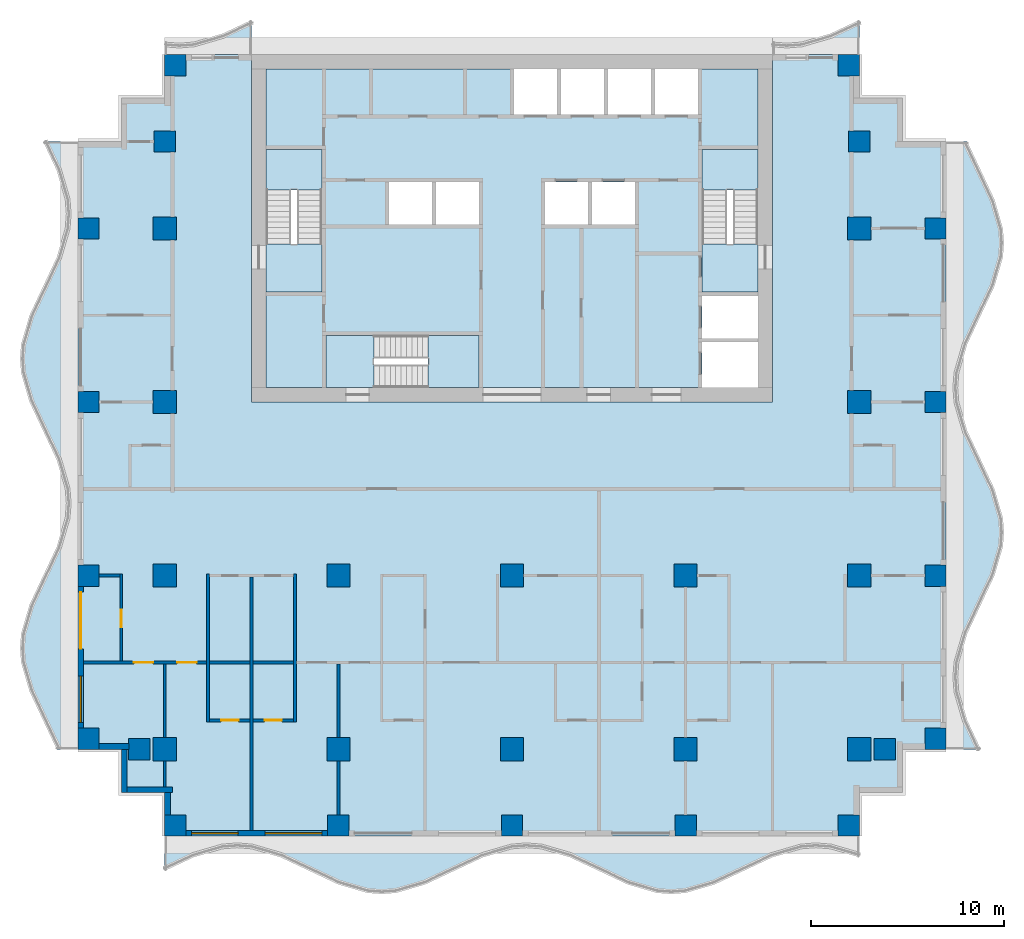
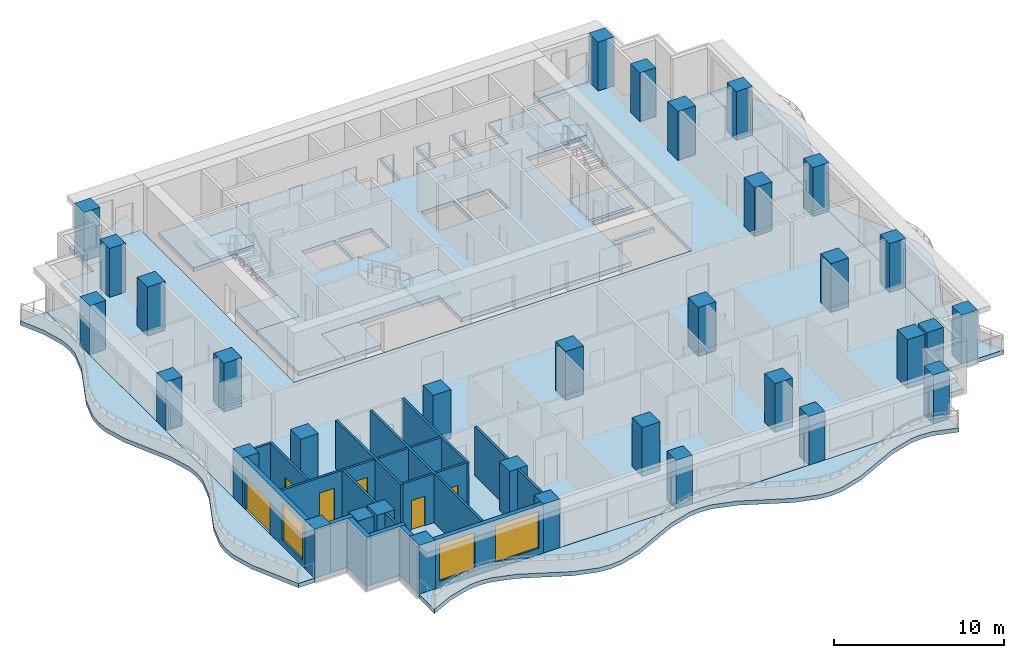
# One storey, part 1 of 10: 33 columns, 20 walls, 13 slabs, 6 doors, 3 windows, 9 openings, 3 elements without a shape of their own.
"""IFC4 building model written with IfcOpenShell, lengths in metres."""

import ifcopenshell
import ifcopenshell.guid

model = None  # the IFC model being written
_history = None  # IfcOwnerHistory: only IFC2X3 demands one
_inside = {}  # id of a spatial element -> (the spatial element, [elements in it])
_under = {}  # id of a project, library or spatial element -> (it, [spatial elements below it])
_declared = {}  # id of a project -> (the project, [libraries it declares])
_typed = {}  # id of a type object -> (the type object, [elements of that type])
_made_of = {}  # id of a material, layer set ... -> (it, [elements and type objects made of it])


def new_model(schema):
    """Start an empty IFC model of exactly this schema.

    Asked for "IFC4X3", IfcOpenShell would pick the latest addendum, in which some entities
    have other attributes; the version numbers below select the first issue.
    IFC2X3 requires an IfcOwnerHistory on every rooted entity: one is made here for all.
    """
    global model, _history
    if schema == "IFC4X3":
        model = ifcopenshell.file(schema_version=(4, 3, 0, 0))
    else:
        model = ifcopenshell.file(schema=schema)
    _inside.clear()
    _under.clear()
    _declared.clear()
    _typed.clear()
    _made_of.clear()
    _history = None
    if model.schema == "IFC2X3":
        org = make("IfcOrganization", Name="unknown")
        user = make(
            "IfcPersonAndOrganization",
            ThePerson=make("IfcPerson", FamilyName="unknown"),
            TheOrganization=org,
        )
        app = make(
            "IfcApplication",
            ApplicationDeveloper=org,
            Version="unknown",
            ApplicationFullName="unknown",
            ApplicationIdentifier="unknown",
        )
        _history = make(
            "IfcOwnerHistory",
            OwningUser=user,
            OwningApplication=app,
            ChangeAction="ADDED",
            CreationDate=0,
        )
    return model


def make(cls, **values):
    """One entity of the class cls with the attributes given. An attribute that is None is left unset."""
    return model.create_entity(
        cls, **{name: value for name, value in values.items() if value is not None}
    )


def rooted(cls, **values):
    """An entity with a GlobalId (a new one), such as an element, a storey or a relation."""
    return make(cls, GlobalId=ifcopenshell.guid.new(), OwnerHistory=_history, **values)


def si_unit(unit_type, name, prefix=None):
    """IfcSIUnit, for example si_unit("LENGTHUNIT", "METRE", prefix="MILLI")."""
    return make("IfcSIUnit", UnitType=unit_type, Prefix=prefix, Name=name)


def assignment(units):
    """IfcUnitAssignment: the units of a project."""
    return None if units is None else make("IfcUnitAssignment", Units=units)


def point(xyz):
    """IfcCartesianPoint."""
    return None if xyz is None else make("IfcCartesianPoint", Coordinates=xyz)


def direction(xyz):
    """IfcDirection."""
    return None if xyz is None else make("IfcDirection", DirectionRatios=xyz)


def frame(location, z_axis=None, x_axis=None):
    """IfcAxis2Placement3D, a coordinate frame: its origin and axes. An axis left out is left unset."""
    return make(
        "IfcAxis2Placement3D",
        Location=point(location),
        Axis=direction(z_axis),
        RefDirection=direction(x_axis),
    )


def frame_2d(location, x_axis=None):
    """IfcAxis2Placement2D, a coordinate frame in the plane: its origin and x axis."""
    return make(
        "IfcAxis2Placement2D", Location=point(location), RefDirection=direction(x_axis)
    )


def origin():
    """The frame at (0, 0, 0) with its axes left unset."""
    return frame((0.0, 0.0, 0.0))


def origin_2d():
    """The frame at (0, 0) in the plane with its x axis left unset."""
    return frame_2d((0.0, 0.0))


def place(relative_to, where):
    """IfcLocalPlacement: puts the frame where relative to a parent placement (None: the world)."""
    return make(
        "IfcLocalPlacement", PlacementRelTo=relative_to, RelativePlacement=where
    )


def context(
    kind, dimensions, precision=None, world=None, true_north=None, identifier=None
):
    """IfcGeometricRepresentationContext, for example the 3D "Model" context."""
    return make(
        "IfcGeometricRepresentationContext",
        ContextIdentifier=identifier,
        ContextType=kind,
        CoordinateSpaceDimension=dimensions,
        Precision=precision,
        WorldCoordinateSystem=world,
        TrueNorth=true_north,
    )


def subcontext(parent, identifier, kind, view, scale=None):
    """IfcGeometricRepresentationSubContext, for example "Body" below "Model"."""
    return make(
        "IfcGeometricRepresentationSubContext",
        ContextIdentifier=identifier,
        ContextType=kind,
        ParentContext=parent,
        TargetScale=scale,
        TargetView=view,
    )


def project(units=None, contexts=None):
    """IfcProject with its units and contexts."""
    return rooted(
        "IfcProject",
        Name="project",
        RepresentationContexts=contexts,
        UnitsInContext=assignment(units),
    )


def spatial(cls, under=None, at=None, **own):
    """A site, building, storey or space (cls), placed at a placement, below another one or the project."""
    s = rooted(cls, ObjectPlacement=at, **own)
    if under is not None:
        _under.setdefault(under.id(), (under, []))[1].append(s)
    return s


def polyline(points):
    """IfcPolyline through the points."""
    return make("IfcPolyline", Points=[point(p) for p in points])


def profile(cls, at=None, kind="AREA", **sizes):
    """A parametric profile (cls). Its sizes go by their IFC names, for example OverallWidth=200.0."""
    return make(cls, ProfileType=kind, Position=at, **sizes)


def rectangle(**sizes):
    """IfcRectangleProfileDef."""
    return profile("IfcRectangleProfileDef", **sizes)


def outline(outer, holes=None, kind="AREA"):
    """IfcArbitraryClosedProfileDef: a profile drawn as a closed curve; with holes, ...WithVoids."""
    if holes is None:
        return make("IfcArbitraryClosedProfileDef", ProfileType=kind, OuterCurve=outer)
    return make(
        "IfcArbitraryProfileDefWithVoids",
        ProfileType=kind,
        OuterCurve=outer,
        InnerCurves=holes,
    )


def extrude(swept, where, along, depth):
    """IfcExtrudedAreaSolid: the profile swept, set in the frame where, extruded along a direction by depth."""
    return make(
        "IfcExtrudedAreaSolid",
        SweptArea=swept,
        Position=where,
        ExtrudedDirection=direction(along),
        Depth=depth,
    )


def shape(context_of_items, identifier, shape_type, items):
    """IfcShapeRepresentation: the items that make up one representation, for example the "Body"."""
    return make(
        "IfcShapeRepresentation",
        ContextOfItems=context_of_items,
        RepresentationIdentifier=identifier,
        RepresentationType=shape_type,
        Items=items,
    )


def material(Name=None, Category=None):
    """IfcMaterial."""
    return make("IfcMaterial", Name=Name, Category=Category)


def layer(
    of_material, thickness, ventilated=None, Name=None, Category=None, Priority=None
):
    """IfcMaterialLayer: one layer of a wall or slab, of a material (None: an air gap)."""
    return make(
        "IfcMaterialLayer",
        Material=of_material,
        LayerThickness=thickness,
        IsVentilated=ventilated,
        Name=Name,
        Category=Category,
        Priority=Priority,
    )


def layer_set(layers, Name=None):
    """IfcMaterialLayerSet."""
    return make("IfcMaterialLayerSet", MaterialLayers=layers, LayerSetName=Name)


def material_profile(
    of_material, cross_section, Name=None, Category=None, Priority=None
):
    """IfcMaterialProfile: a cross section and its material."""
    return make(
        "IfcMaterialProfile",
        Name=Name,
        Material=of_material,
        Profile=cross_section,
        Priority=Priority,
        Category=Category,
    )


def profile_set(profiles, Name=None, composite=None):
    """IfcMaterialProfileSet."""
    return make(
        "IfcMaterialProfileSet",
        Name=Name,
        MaterialProfiles=profiles,
        CompositeProfile=composite,
    )


def made_of(thing, what):
    """Note that an element or type object is made of a material, layer set ...; save() writes the relation."""
    if what is not None:
        _made_of.setdefault(what.id(), (what, []))[1].append(thing)
    return thing


def type_object(cls, material=None, **own):
    """A type object (cls), such as IfcWallType, which elements share."""
    return made_of(rooted(cls, **own), material)


def element(
    cls,
    number,
    at=None,
    inside=None,
    cuts=None,
    type_object=None,
    material=None,
    context=None,
    identifier="Body",
    shape_type=None,
    held_by="IfcProductDefinitionShape",
    body=None,
    shapes=None,
    **own,
):
    """One element of the class cls, such as IfcWall. Its Tag is "e" and its number.

    at: its placement. inside: the storey or other place that contains it. cuts: it is an
    opening in that element (IfcRelVoidsElement). A single representation is given by context,
    identifier, shape_type and body (its items); several are given by shapes. held_by: the class
    of the entity that holds the representations. save() writes the other relations.
    """
    e = rooted(cls, Tag="e%d" % number, ObjectPlacement=at, **own)
    if body is not None:
        shapes = [shape(context, identifier, shape_type, body)]
    if shapes is not None:
        e.Representation = make(held_by, Representations=shapes)
    if inside is not None:
        _inside.setdefault(inside.id(), (inside, []))[1].append(e)
    if cuts is not None:
        rooted(
            "IfcRelVoidsElement", RelatingBuildingElement=cuts, RelatedOpeningElement=e
        )
    if type_object is not None:
        _typed.setdefault(type_object.id(), (type_object, []))[1].append(e)
    return made_of(e, material)


def fill(opening, filler):
    """IfcRelFillsElement: the door or window that sits in an opening."""
    return rooted(
        "IfcRelFillsElement",
        RelatingOpeningElement=opening,
        RelatedBuildingElement=filler,
    )


def aggregate(whole, parts):
    """IfcRelAggregates: a whole, such as a stair, and the parts it consists of."""
    return rooted("IfcRelAggregates", RelatingObject=whole, RelatedObjects=parts)


def save(model, path):
    """Write the relations noted so far, then the file.

    IfcRelAggregates (storeys below a building ...), IfcRelContainedInSpatialStructure (elements
    in a storey), IfcRelDefinesByType, IfcRelAssociatesMaterial and IfcRelDeclares: one each for
    every whole, place, type object, material and project.
    """
    for whole, parts in _under.values():
        aggregate(whole, parts)
    for where, things in _inside.values():
        rooted(
            "IfcRelContainedInSpatialStructure",
            RelatedElements=things,
            RelatingStructure=where,
        )
    for kind, things in _typed.values():
        rooted("IfcRelDefinesByType", RelatedObjects=things, RelatingType=kind)
    for what, things in _made_of.values():
        rooted("IfcRelAssociatesMaterial", RelatedObjects=things, RelatingMaterial=what)
    for by, libraries in _declared.values():
        rooted("IfcRelDeclares", RelatingContext=by, RelatedDefinitions=libraries)
    model.write(path)


model = new_model("IFC4")

# Units and contexts
model_context = context("Model", 3, precision=1e-05, world=origin(), true_north=direction((0.0, 1.0)))
body_context = subcontext(model_context, "Body", "Model", "MODEL_VIEW")
ifc_project = project(units=[si_unit("LENGTHUNIT", "METRE"), si_unit("AREAUNIT", "SQUARE_METRE"), si_unit("VOLUMEUNIT", "CUBIC_METRE"), si_unit("PLANEANGLEUNIT", "RADIAN"), si_unit("MASSUNIT", "GRAM", prefix="KILO")], contexts=[model_context])

# Site, building, storey
site_placement = place(None, origin())
site = spatial("IfcSite", under=ifc_project, at=site_placement, CompositionType="ELEMENT")
building_placement = place(site_placement, origin())
building = spatial("IfcBuilding", under=site, at=building_placement, Name="Orbiselva Terraces", CompositionType="ELEMENT")
storey_placement = place(building_placement, frame((0.0, 0.0, 159.2)))
storey = spatial("IfcBuildingStorey", under=building, at=storey_placement, Name="L40", CompositionType="ELEMENT", Elevation=159.2)

# Columns
ifc_material_1 = material(Name="Concrete C60/75", Category="concrete")
ifc_material_profile_1 = material_profile(ifc_material_1, rectangle(XDim=1.2, YDim=1.2, at=origin_2d()), Name="RC 1200x1200")
ifc_profile_set_1 = profile_set([ifc_material_profile_1], Name="Concrete C60/75")
column_type_1 = type_object("IfcColumnType", Name="COLUMN RC 1200x1200", PredefinedType="COLUMN", material=ifc_profile_set_1)
for number, where, z_axis, x_axis, name in (
    (1, (-18.0, -13.5, 0.0), (0.0, 0.0, 1.0), (1.0, 0.0, 0.0), "Column L40-01"),
    (2, (-18.0, -4.5, 0.0), (0.0, 0.0, 1.0), (1.0, 0.0, 0.0), "Column L40-03"),
    (3, (-18.0, 13.5, 0.0), (0.0, 0.0, 1.0), (1.0, 0.0, 0.0), "Column L40-04"),
    (4, (-18.0, 4.5, 0.0), (0.0, 0.0, 1.0), (1.0, 0.0, 0.0), "Column L40-06"),
    (5, (-9.0, -13.5, 0.0), (0.0, 0.0, 1.0), (1.0, 0.0, 0.0), "Column L40-13"),
    (6, (-9.0, -4.5, 0.0), (0.0, 0.0, 1.0), (1.0, 0.0, 0.0), "Column L40-15"),
    (7, (0.0, -13.5, 0.0), (0.0, 0.0, 1.0), (1.0, 0.0, 0.0), "Column L40-16"),
    (8, (0.0, -4.5, 0.0), (0.0, 0.0, 1.0), (1.0, 0.0, 0.0), "Column L40-18"),
    (9, (18.0, -13.5, 0.0), (0.0, 0.0, 1.0), (1.0, 0.0, 0.0), "Column L40-19"),
    (10, (18.0, -4.5, 0.0), (0.0, 0.0, 1.0), (1.0, 0.0, 0.0), "Column L40-21"),
    (11, (18.0, 13.5, 0.0), (0.0, 0.0, 1.0), (1.0, 0.0, 0.0), "Column L40-22"),
    (12, (18.0, 4.5, 0.0), (0.0, 0.0, 1.0), (1.0, 0.0, 0.0), "Column L40-24"),
    (13, (9.0, -13.5, 0.0), (0.0, 0.0, 1.0), (1.0, 0.0, 0.0), "Column L40-31"),
    (14, (9.0, -4.5, 0.0), (0.0, 0.0, 1.0), (1.0, 0.0, 0.0), "Column L40-33"),
):
    element("IfcColumn", number, at=place(storey_placement, frame(where, z_axis=z_axis, x_axis=x_axis)), inside=storey, type_object=column_type_1, Name=name, PredefinedType="COLUMN", context=body_context, shape_type="SweptSolid", body=[
        extrude(rectangle(XDim=1.2, YDim=1.2, at=origin_2d()), origin(), (0.0, 0.0, 1.0), 3.5),
    ])
ifc_material_profile_2 = material_profile(ifc_material_1, rectangle(XDim=1.1, YDim=1.1, at=origin_2d()), Name="RC 1100x1100")
ifc_profile_set_2 = profile_set([ifc_material_profile_2], Name="Concrete C60/75")
column_type_2 = type_object("IfcColumnType", Name="PERIMETER COLUMN RC 1100x1100", PredefinedType="COLUMN", material=ifc_profile_set_2)
for number, where, z_axis, x_axis, name in (
    (15, (-17.45, -17.45, 0.0), (0.0, 0.0, 1.0), (1.0, 0.0, 0.0), "Column L40-02"),
    (16, (-17.45, 21.95, 0.0), (0.0, 0.0, 1.0), (1.0, 0.0, 0.0), "Column L40-05"),
    (17, (-21.95, -12.95, 0.0), (0.0, 0.0, 1.0), (1.0, 0.0, 0.0), "Column L40-07"),
    (18, (-19.32, -13.5, 0.0), (0.0, 0.0, 1.0), (1.0, 0.0, 0.0), "Column L40-08"),
    (19, (-21.95, -4.5, 0.0), (0.0, 0.0, 1.0), (1.0, 0.0, 0.0), "Column L40-09"),
    (20, (-21.95, 13.5, 0.0), (0.0, 0.0, 1.0), (1.0, 0.0, 0.0), "Column L40-10"),
    (21, (-18.0, 18.0, 0.0), (0.0, 0.0, 1.0), (1.0, 0.0, 0.0), "Column L40-11"),
    (22, (-21.95, 4.5, 0.0), (0.0, 0.0, 1.0), (1.0, 0.0, 0.0), "Column L40-12"),
    (23, (-9.0, -17.45, 0.0), (0.0, 0.0, 1.0), (1.0, 0.0, 0.0), "Column L40-14"),
    (24, (0.0, -17.45, 0.0), (0.0, 0.0, 1.0), (1.0, 0.0, 0.0), "Column L40-17"),
    (25, (17.45, -17.45, 0.0), (0.0, 0.0, 1.0), (1.0, 0.0, 0.0), "Column L40-20"),
    (26, (17.45, 21.95, 0.0), (0.0, 0.0, 1.0), (1.0, 0.0, 0.0), "Column L40-23"),
    (27, (21.95, -12.95, 0.0), (0.0, 0.0, 1.0), (1.0, 0.0, 0.0), "Column L40-25"),
    (28, (19.32, -13.5, 0.0), (0.0, 0.0, 1.0), (1.0, 0.0, 0.0), "Column L40-26"),
    (29, (21.95, -4.5, 0.0), (0.0, 0.0, 1.0), (1.0, 0.0, 0.0), "Column L40-27"),
    (30, (21.95, 13.5, 0.0), (0.0, 0.0, 1.0), (1.0, 0.0, 0.0), "Column L40-28"),
    (31, (18.0, 18.0, 0.0), (0.0, 0.0, 1.0), (1.0, 0.0, 0.0), "Column L40-29"),
    (32, (21.95, 4.5, 0.0), (0.0, 0.0, 1.0), (1.0, 0.0, 0.0), "Column L40-30"),
    (33, (9.0, -17.45, 0.0), (0.0, 0.0, 1.0), (1.0, 0.0, 0.0), "Column L40-32"),
):
    element("IfcColumn", number, at=place(storey_placement, frame(where, z_axis=z_axis, x_axis=x_axis)), inside=storey, type_object=column_type_2, Name=name, PredefinedType="COLUMN", context=body_context, shape_type="SweptSolid", body=[
        extrude(rectangle(XDim=1.1, YDim=1.1, at=origin_2d()), origin(), (0.0, 0.0, 1.0), 3.5),
    ])

# Slabs
ifc_material_2 = material(Name="Concrete C40/50", Category="concrete")
ifc_layer_1 = layer(ifc_material_2, 0.3)
ifc_layer_set_1 = layer_set([ifc_layer_1], Name="Concrete C40/50")
slab_type_1 = type_object("IfcSlabType", Name="CORE-SLAB-FLOOR-300", PredefinedType="FLOOR", material=ifc_layer_set_1)
slab_1_placement = place(storey_placement, frame((0.0, 0.0, -0.3)))
element("IfcSlab", 34, at=slab_1_placement, inside=storey, type_object=slab_type_1, Name="L40 S1 floor landing", PredefinedType="FLOOR", context=body_context, shape_type="SweptSolid", body=[
    extrude(outline(polyline([(-12.75, 12.7), (-9.85, 12.7), (-9.85, 10.2), (-12.75, 10.2), (-12.75, 12.7)])), origin(), (0.0, 0.0, 1.0), 0.3),
])
slab_2_placement = place(storey_placement, frame((0.0, 0.0, -0.3)))
element("IfcSlab", 35, at=slab_2_placement, inside=storey, type_object=slab_type_1, Name="L40 S2 floor landing", PredefinedType="FLOOR", context=body_context, shape_type="SweptSolid", body=[
    extrude(outline(polyline([(12.75, 12.7), (12.75, 10.2), (9.85, 10.2), (9.85, 12.7), (12.75, 12.7)])), origin(), (0.0, 0.0, 1.0), 0.3),
])
slab_3_placement = place(storey_placement, frame((0.0, 0.0, -0.3)))
element("IfcSlab", 36, at=slab_3_placement, inside=storey, type_object=slab_type_1, Name="L40 S3 floor landing", PredefinedType="FLOOR", context=body_context, shape_type="SweptSolid", body=[
    extrude(outline(polyline([(-7.15, 5.25), (-9.65, 5.25), (-9.65, 7.95), (-7.15, 7.95), (-7.15, 5.25)])), origin(), (0.0, 0.0, 1.0), 0.3),
])
slab_4_placement = place(storey_placement, frame((0.0, 0.0, -0.3)))
element("IfcSlab", 37, at=slab_4_placement, inside=storey, type_object=slab_type_1, Name="L40 core floor slab 1", PredefinedType="FLOOR", context=body_context, shape_type="SweptSolid", body=[
    extrude(outline(polyline([(-1.7, 5.25), (-1.7, 7.95), (-9.65, 7.95), (-9.65, 5.25), (-12.75, 5.25), (-12.75, 10.2), (-9.85, 10.2), (-9.85, 17.6), (-12.75, 17.6), (-12.75, 21.75), (0.1, 21.75), (0.1, 19.4), (2.3375, 19.4), (2.3375, 21.75), (2.5375, 21.75), (2.5375, 19.4), (4.775, 19.4), (4.775, 21.75), (4.975, 21.75), (4.975, 19.4), (7.2125, 19.4), (7.2125, 21.75), (7.4125, 21.75), (7.4125, 19.4), (9.65, 19.4), (9.65, 21.75), (12.75, 21.75), (12.75, 17.6), (9.85, 17.6), (9.85, 10.2), (12.75, 10.2), (12.75, 10.0), (9.85, 10.0), (9.85, 7.8), (12.75, 7.8), (12.75, 7.6), (9.85, 7.6), (9.85, 5.25), (-1.7, 5.25)]), holes=[polyline([(-4.1375, 13.7), (-4.1375, 15.9), (-6.375, 15.9), (-6.375, 13.7), (-4.1375, 13.7)]), polyline([(-1.7, 13.7), (-1.7, 15.9), (-3.9375, 15.9), (-3.9375, 13.7), (-1.7, 13.7)]), polyline([(3.9375, 15.9), (1.7, 15.9), (1.7, 13.7), (3.9375, 13.7), (3.9375, 15.9)]), polyline([(6.375, 13.7), (6.375, 15.9), (4.1375, 15.9), (4.1375, 13.7), (6.375, 13.7)])]), origin(), (0.0, 0.0, 1.0), 0.3),
])

# Stair, slab
stair_type_1 = type_object("IfcStairType", Name="CORE-STAIR-1300", PredefinedType="HALF_TURN_STAIR", material=ifc_material_2)
stair_1_placement = place(storey_placement, origin())
stair_1 = element("IfcStair", 38, at=stair_1_placement, inside=storey, type_object=stair_type_1, Name="L40 Exit Stair S1", PredefinedType="HALF_TURN_STAIR")
ifc_layer_2 = layer(ifc_material_2, 0.2)
ifc_layer_set_2 = layer_set([ifc_layer_2], Name="Concrete C40/50")
slab_type_2 = type_object("IfcSlabType", Name="CORE-STAIR-LANDING-200", PredefinedType="LANDING", material=ifc_layer_set_2)
slab_5_placement = place(storey_placement, frame((0.0, 0.0, 1.7)))
slab_5 = element("IfcSlab", 39, at=slab_5_placement, type_object=slab_type_2, Name="S1 landing 1", PredefinedType="LANDING", context=body_context, shape_type="SweptSolid", body=[
    extrude(outline(polyline([(-9.85, 15.5), (-9.85, 17.6), (-12.75, 17.6), (-12.75, 15.5), (-9.85, 15.5)])), origin(), (0.0, 0.0, 1.0), 0.2),
])
aggregate(stair_1, [slab_5])

stair_2_placement = place(storey_placement, origin())
stair_2 = element("IfcStair", 40, at=stair_2_placement, inside=storey, type_object=stair_type_1, Name="L40 Exit Stair S2", PredefinedType="HALF_TURN_STAIR")
slab_6_placement = place(storey_placement, frame((0.0, 0.0, 1.7)))
slab_6 = element("IfcSlab", 41, at=slab_6_placement, type_object=slab_type_2, Name="S2 landing 1", PredefinedType="LANDING", context=body_context, shape_type="SweptSolid", body=[
    extrude(outline(polyline([(12.75, 15.5), (12.75, 17.6), (9.85, 17.6), (9.85, 15.5), (12.75, 15.5)])), origin(), (0.0, 0.0, 1.0), 0.2),
])
aggregate(stair_2, [slab_6])

stair_type_2 = type_object("IfcStairType", Name="CORE-STAIR-1200", PredefinedType="HALF_TURN_STAIR", material=ifc_material_2)
stair_3_placement = place(storey_placement, origin())
stair_3 = element("IfcStair", 42, at=stair_3_placement, inside=storey, type_object=stair_type_2, Name="L40 Exit Stair S3", PredefinedType="HALF_TURN_STAIR")
slab_7_placement = place(storey_placement, frame((0.0, 0.0, 1.7)))
slab_7 = element("IfcSlab", 43, at=slab_7_placement, type_object=slab_type_2, Name="S3 landing 1", PredefinedType="LANDING", context=body_context, shape_type="SweptSolid", body=[
    extrude(outline(polyline([(-4.35, 5.25), (-1.7, 5.25), (-1.7, 7.95), (-4.35, 7.95), (-4.35, 5.25)])), origin(), (0.0, 0.0, 1.0), 0.2),
])
aggregate(stair_3, [slab_7])

# Slabs
ifc_material_3 = material(Name="Concrete C50/60", Category="concrete")
ifc_layer_3 = layer(ifc_material_3, 0.3)
ifc_layer_set_3 = layer_set([ifc_layer_3], Name="Concrete C50/60")
slab_type_3 = type_object("IfcSlabType", Name="ENV-BALCONY-SLAB-300", PredefinedType="FLOOR", material=ifc_layer_set_3)
slab_8_placement = place(storey_placement, frame((0.0, 0.0, -0.3)))
element("IfcSlab", 44, at=slab_8_placement, inside=storey, type_object=slab_type_3, Name="Balcony slab L40 S", PredefinedType="FLOOR", context=body_context, shape_type="SweptSolid", body=[
    extrude(outline(polyline([(-18.0, -19.8), (-16.5, -19.094658), (-15.0, -18.658732), (-14.25, -18.6), (-13.5, -18.658732), (-12.0, -19.094658), (-9.0, -20.505342), (-7.5, -20.941268), (-6.75, -21.0), (-6.0, -20.941268), (-4.5, -20.505342), (-1.5, -19.094658), (0.0, -18.658732), (0.75, -18.6), (1.5, -18.658732), (3.0, -19.094658), (6.0, -20.505342), (7.5, -20.941268), (8.25, -21.0), (9.0, -20.941268), (10.5, -20.505342), (13.5, -19.094658), (15.0, -18.658732), (15.75, -18.6), (16.5, -18.658732), (18.0, -19.094658), (18.0, -18.0), (-18.0, -18.0), (-18.0, -19.8)])), origin(), (0.0, 0.0, 1.0), 0.3),
])
slab_9_placement = place(storey_placement, frame((0.0, 0.0, -0.3)))
element("IfcSlab", 45, at=slab_9_placement, inside=storey, type_object=slab_type_3, Name="Balcony slab L40 E", PredefinedType="FLOOR", context=body_context, shape_type="SweptSolid", body=[
    extrude(outline(polyline([(24.3, -13.5), (23.594658, -12.0), (23.158732, -10.5), (23.1, -9.75), (23.158732, -9.0), (23.594658, -7.5), (25.005342, -4.5), (25.441268, -3.0), (25.5, -2.25), (25.441268, -1.5), (25.005342, 0.0), (23.594658, 3.0), (23.158732, 4.5), (23.1, 5.25), (23.158732, 6.0), (23.594658, 7.5), (25.005342, 10.5), (25.441268, 12.0), (25.5, 12.75), (25.441268, 13.5), (25.005342, 15.0), (23.594658, 18.0), (22.5, 18.0), (22.5, -13.5), (24.3, -13.5)])), origin(), (0.0, 0.0, 1.0), 0.3),
])
slab_10_placement = place(storey_placement, frame((0.0, 0.0, -0.3)))
element("IfcSlab", 46, at=slab_10_placement, inside=storey, type_object=slab_type_3, Name="Balcony slab L40 NE", PredefinedType="FLOOR", context=body_context, shape_type="SweptSolid", body=[
    extrude(outline(polyline([(18.0, 24.3), (16.5, 23.594658), (15.0, 23.158732), (14.25, 23.1), (13.5, 23.158732), (13.5, 22.5), (18.0, 22.5), (18.0, 24.3)])), origin(), (0.0, 0.0, 1.0), 0.3),
])
slab_11_placement = place(storey_placement, frame((0.0, 0.0, -0.3)))
element("IfcSlab", 47, at=slab_11_placement, inside=storey, type_object=slab_type_3, Name="Balcony slab L40 NW", PredefinedType="FLOOR", context=body_context, shape_type="SweptSolid", body=[
    extrude(outline(polyline([(-13.5, 24.3), (-15.0, 23.594658), (-16.5, 23.158732), (-17.25, 23.1), (-18.0, 23.158732), (-18.0, 22.5), (-13.5, 22.5), (-13.5, 24.3)])), origin(), (0.0, 0.0, 1.0), 0.3),
])
slab_12_placement = place(storey_placement, frame((0.0, 0.0, -0.3)))
element("IfcSlab", 48, at=slab_12_placement, inside=storey, type_object=slab_type_3, Name="Balcony slab L40 W", PredefinedType="FLOOR", context=body_context, shape_type="SweptSolid", body=[
    extrude(outline(polyline([(-24.3, 18.0), (-23.594658, 16.5), (-23.158732, 15.0), (-23.1, 14.25), (-23.158732, 13.5), (-23.594658, 12.0), (-25.005342, 9.0), (-25.441268, 7.5), (-25.5, 6.75), (-25.441268, 6.0), (-25.005342, 4.5), (-23.594658, 1.5), (-23.158732, 0.0), (-23.1, -0.75), (-23.158732, -1.5), (-23.594658, -3.0), (-25.005342, -6.0), (-25.441268, -7.5), (-25.5, -8.25), (-25.441268, -9.0), (-25.005342, -10.5), (-23.594658, -13.5), (-22.5, -13.5), (-22.5, 18.0), (-24.3, 18.0)])), origin(), (0.0, 0.0, 1.0), 0.3),
])
ifc_layer_4 = layer(ifc_material_3, 0.3)
ifc_layer_set_4 = layer_set([ifc_layer_4], Name="Concrete C50/60")
slab_type_4 = type_object("IfcSlabType", Name="FLOOR SLAB 300", PredefinedType="FLOOR", material=ifc_layer_set_4)
slab_13_placement = place(storey_placement, frame((0.0, 0.0, -0.3)))
element("IfcSlab", 49, at=slab_13_placement, inside=storey, type_object=slab_type_4, Name="Floor slab L40", PredefinedType="FLOOR", context=body_context, shape_type="SweptSolid", body=[
    extrude(outline(polyline([(18.0, 22.5), (18.0, 20.25), (20.25, 20.25), (20.25, 18.0), (22.5, 18.0), (22.5, -13.5), (20.25, -13.5), (20.25, -15.75), (18.0, -15.75), (18.0, -18.0), (-18.0, -18.0), (-18.0, -15.75), (-20.25, -15.75), (-20.25, -13.5), (-22.5, -13.5), (-22.5, 18.0), (-20.25, 18.0), (-20.25, 20.25), (-18.0, 20.25), (-18.0, 22.5), (-13.5, 22.5), (-13.5, 4.5), (13.5, 4.5), (13.5, 22.5), (18.0, 22.5)])), origin(), (0.0, 0.0, 1.0), 0.3),
])

# Wall, openings, windows
ifc_material_4 = material(Name="Terracotta cladding on masonry backing", Category="masonry")
ifc_layer_5 = layer(ifc_material_4, 0.3)
ifc_layer_set_5 = layer_set([ifc_layer_5], Name="Terracotta cladding on masonry backing")
wall_type_1 = type_object("IfcWallType", Name="ENV-WALL-TERRACOTTA-300", PredefinedType="SOLIDWALL", material=ifc_layer_set_5)
wall_1_placement = place(storey_placement, frame((-9.55, -17.85, 0.0), z_axis=(0.0, 0.0, 1.0), x_axis=(-1.0, 0.0, 0.0)))
wall_1 = element("IfcWall", 50, at=wall_1_placement, inside=storey, type_object=wall_type_1, Name="Facade wall L40 S", PredefinedType="SOLIDWALL", context=body_context, shape_type="SweptSolid", body=[
    extrude(rectangle(XDim=7.35, YDim=0.3, at=frame_2d((3.675, 0.0))), origin(), (0.0, 0.0, 1.0), 3.5),
])
opening_1_placement = place(wall_1_placement, frame((4.65, 0.0, 0.45)))
opening_1 = element("IfcOpeningElement", 51, at=opening_1_placement, cuts=wall_1, Name="Opening WN11", PredefinedType="OPENING", context=body_context, shape_type="SweptSolid", body=[
    extrude(rectangle(XDim=2.4, YDim=2.65, at=frame_2d((1.2, 1.325))), frame((0.0, 0.16, 0.0), z_axis=(0.0, -1.0, 0.0), x_axis=(1.0, 0.0, 0.0)), (0.0, 0.0, 1.0), 0.32),
])
opening_2_placement = place(wall_1_placement, frame((0.3, 0.0, 0.45)))
opening_2 = element("IfcOpeningElement", 52, at=opening_2_placement, cuts=wall_1, Name="Opening WN12", PredefinedType="OPENING", context=body_context, shape_type="SweptSolid", body=[
    extrude(rectangle(XDim=2.95, YDim=2.65, at=frame_2d((1.475, 1.325))), frame((0.0, 0.16, 0.0), z_axis=(0.0, -1.0, 0.0), x_axis=(1.0, 0.0, 0.0)), (0.0, 0.0, 1.0), 0.32),
])
ifc_material_5 = material(Name="Clear low-e glazing in aluminium frame", Category="aluminium")
window_type_1 = type_object("IfcWindowType", Name="WINDOW 2400 X 2650 S450", PartitioningType="TRIPLE_PANEL_VERTICAL", PredefinedType="WINDOW", material=ifc_material_5)
window_1_placement = place(opening_1_placement, origin())
window_1 = element("IfcWindow", 53, at=window_1_placement, inside=storey, type_object=window_type_1, Name="Window L40 S", OverallHeight=2.65, OverallWidth=2.4, PartitioningType="SINGLE_PANEL", PredefinedType="WINDOW", context=body_context, shape_type="SweptSolid", body=[
    extrude(rectangle(XDim=2.4, YDim=2.65, at=frame_2d((1.2, 1.325))), frame((0.0, 0.03, 0.0), z_axis=(0.0, -1.0, 0.0), x_axis=(1.0, 0.0, 0.0)), (0.0, 0.0, 1.0), 0.06),
])
fill(opening_1, window_1)
window_type_2 = type_object("IfcWindowType", Name="WINDOW 2950 X 2650 S450", PartitioningType="TRIPLE_PANEL_VERTICAL", PredefinedType="WINDOW", material=ifc_material_5)
window_2_placement = place(opening_2_placement, origin())
window_2 = element("IfcWindow", 54, at=window_2_placement, inside=storey, type_object=window_type_2, Name="Window L40 S", OverallHeight=2.65, OverallWidth=2.95, PartitioningType="SINGLE_PANEL", PredefinedType="WINDOW", context=body_context, shape_type="SweptSolid", body=[
    extrude(rectangle(XDim=2.95, YDim=2.65, at=frame_2d((1.475, 1.325))), frame((0.0, 0.03, 0.0), z_axis=(0.0, -1.0, 0.0), x_axis=(1.0, 0.0, 0.0)), (0.0, 0.0, 1.0), 0.06),
])
fill(opening_2, window_2)

# Wall, openings, door, window
wall_2_placement = place(storey_placement, frame((-22.35, -12.4, 0.0), z_axis=(0.0, 0.0, 1.0), x_axis=(0.0, 1.0, 0.0)))
wall_2 = element("IfcWall", 55, at=wall_2_placement, inside=storey, type_object=wall_type_1, Name="Facade wall L40 W", PredefinedType="SOLIDWALL", context=body_context, shape_type="SweptSolid", body=[
    extrude(rectangle(XDim=7.35, YDim=0.3, at=frame_2d((3.675, 0.0))), origin(), (0.0, 0.0, 1.0), 3.5),
])
opening_3_placement = place(wall_2_placement, frame((4.1, 0.0, 0.0)))
opening_3 = element("IfcOpeningElement", 56, at=opening_3_placement, cuts=wall_2, Name="Opening Z3-D-E08", PredefinedType="OPENING", context=body_context, shape_type="SweptSolid", body=[
    extrude(rectangle(XDim=2.95, YDim=2.4, at=frame_2d((1.475, 1.2))), frame((0.0, 0.16, 0.0), z_axis=(0.0, -1.0, 0.0), x_axis=(1.0, 0.0, 0.0)), (0.0, 0.0, 1.0), 0.32),
])
opening_4_placement = place(wall_2_placement, frame((0.3, 0.0, 0.45)))
opening_4 = element("IfcOpeningElement", 57, at=opening_4_placement, cuts=wall_2, Name="Opening WN11", PredefinedType="OPENING", context=body_context, shape_type="SweptSolid", body=[
    extrude(rectangle(XDim=2.4, YDim=2.65, at=frame_2d((1.2, 1.325))), frame((0.0, 0.16, 0.0), z_axis=(0.0, -1.0, 0.0), x_axis=(1.0, 0.0, 0.0)), (0.0, 0.0, 1.0), 0.32),
])
door_type_1 = type_object("IfcDoorType", Name="BALCONY DOOR 2950 X 2400", OperationType="DOUBLE_DOOR_SLIDING", PredefinedType="DOOR", material=ifc_material_5)
door_1_placement = place(opening_3_placement, origin())
door_1 = element("IfcDoor", 58, at=door_1_placement, inside=storey, type_object=door_type_1, Name="Z3-D-E08", OperationType="SINGLE_SWING_LEFT", OverallHeight=2.4, OverallWidth=2.95, PredefinedType="DOOR", context=body_context, shape_type="SweptSolid", body=[
    extrude(rectangle(XDim=2.95, YDim=2.4, at=frame_2d((1.475, 1.2))), frame((0.0, 0.025, 0.0), z_axis=(0.0, -1.0, 0.0), x_axis=(1.0, 0.0, 0.0)), (0.0, 0.0, 1.0), 0.05),
])
fill(opening_3, door_1)
window_3_placement = place(opening_4_placement, origin())
window_3 = element("IfcWindow", 59, at=window_3_placement, inside=storey, type_object=window_type_1, Name="Window L40 W", OverallHeight=2.65, OverallWidth=2.4, PartitioningType="SINGLE_PANEL", PredefinedType="WINDOW", context=body_context, shape_type="SweptSolid", body=[
    extrude(rectangle(XDim=2.4, YDim=2.65, at=frame_2d((1.2, 1.325))), frame((0.0, 0.03, 0.0), z_axis=(0.0, -1.0, 0.0), x_axis=(1.0, 0.0, 0.0)), (0.0, 0.0, 1.0), 0.06),
])
fill(opening_4, window_3)

# Walls
wall_3_placement = place(storey_placement, frame((-19.85, -13.35, 0.0), z_axis=(0.0, 0.0, 1.0), x_axis=(-1.0, 0.0, 0.0)))
element("IfcWall", 60, at=wall_3_placement, inside=storey, type_object=wall_type_1, Name="Facade wall L40 STEP", PredefinedType="SOLIDWALL", context=body_context, shape_type="SweptSolid", body=[
    extrude(rectangle(XDim=1.55, YDim=0.3, at=frame_2d((0.775, 0.0))), origin(), (0.0, 0.0, 1.0), 3.5),
])
wall_4_placement = place(storey_placement, frame((-20.1, -15.75, 0.0), z_axis=(0.0, 0.0, 1.0), x_axis=(0.0, 1.0, 0.0)))
element("IfcWall", 61, at=wall_4_placement, inside=storey, type_object=wall_type_1, Name="Facade wall L40 STEP", PredefinedType="SOLIDWALL", context=body_context, shape_type="SweptSolid", body=[
    extrude(rectangle(XDim=2.25, YDim=0.3, at=frame_2d((1.125, 0.0))), origin(), (0.0, 0.0, 1.0), 3.5),
])
wall_5_placement = place(storey_placement, frame((-17.6, -15.6, 0.0), z_axis=(0.0, 0.0, 1.0), x_axis=(-1.0, 0.0, 0.0)))
element("IfcWall", 62, at=wall_5_placement, inside=storey, type_object=wall_type_1, Name="Facade wall L40 STEP", PredefinedType="SOLIDWALL", context=body_context, shape_type="SweptSolid", body=[
    extrude(rectangle(XDim=2.35, YDim=0.3, at=frame_2d((1.175, 0.0))), origin(), (0.0, 0.0, 1.0), 3.5),
])
wall_6_placement = place(storey_placement, frame((-17.85, -16.9, 0.0), z_axis=(0.0, 0.0, 1.0), x_axis=(0.0, 1.0, 0.0)))
element("IfcWall", 63, at=wall_6_placement, inside=storey, type_object=wall_type_1, Name="Facade wall L40 STEP", PredefinedType="SOLIDWALL", context=body_context, shape_type="SweptSolid", body=[
    extrude(rectangle(XDim=1.15, YDim=0.3, at=frame_2d((0.575, 0.0))), origin(), (0.0, 0.0, 1.0), 3.5),
])

# Wall, opening, door
ifc_material_6 = material(Name="Plasterboard on steel stud partition", Category="steel")
ifc_layer_6 = layer(ifc_material_6, 0.15)
ifc_layer_set_6 = layer_set([ifc_layer_6], Name="Plasterboard on steel stud partition")
wall_type_2 = type_object("IfcWallType", Name="UNIT-PARTITION-150", PredefinedType="PARTITIONING", material=ifc_layer_set_6)
wall_7_placement = place(storey_placement, frame((-15.675, -12.0, 0.0), z_axis=(0.0, 0.0, 1.0), x_axis=(1.0, 0.0, 0.0)))
wall_7 = element("IfcWall", 64, at=wall_7_placement, inside=storey, type_object=wall_type_2, Name="PARTITION L40-001", PredefinedType="PARTITIONING", context=body_context, shape_type="SweptSolid", body=[
    extrude(rectangle(XDim=2.1, YDim=0.15, at=frame_2d((1.05, 0.0))), origin(), (0.0, 0.0, 1.0), 3.5),
])
opening_5_placement = place(wall_7_placement, frame((0.6, 0.0, 0.0)))
opening_5 = element("IfcOpeningElement", 65, at=opening_5_placement, cuts=wall_7, Name="Opening Z3-D-24", PredefinedType="OPENING", context=body_context, shape_type="SweptSolid", body=[
    extrude(rectangle(XDim=0.9, YDim=2.1, at=frame_2d((0.45, 1.05))), frame((0.0, 0.085, 0.0), z_axis=(0.0, -1.0, 0.0), x_axis=(1.0, 0.0, 0.0)), (0.0, 0.0, 1.0), 0.17),
])
ifc_material_7 = material(Name="Painted timber door leaf", Category="wood")
door_type_2 = type_object("IfcDoorType", Name="BATH DOOR 900", OperationType="NOTDEFINED", PredefinedType="DOOR", material=ifc_material_7)
door_2_placement = place(opening_5_placement, origin())
door_2 = element("IfcDoor", 66, at=door_2_placement, inside=storey, type_object=door_type_2, Name="Z3-D-24", OperationType="SINGLE_SWING_LEFT", OverallHeight=2.1, OverallWidth=0.9, PredefinedType="DOOR", context=body_context, shape_type="SweptSolid", body=[
    extrude(rectangle(XDim=0.9, YDim=2.1, at=frame_2d((0.45, 1.05))), frame((0.0, 0.025, 0.0), z_axis=(0.0, -1.0, 0.0), x_axis=(1.0, 0.0, 0.0)), (0.0, 0.0, 1.0), 0.05),
])
fill(opening_5, door_2)

wall_8_placement = place(storey_placement, frame((-13.425, -12.0, 0.0), z_axis=(0.0, 0.0, 1.0), x_axis=(1.0, 0.0, 0.0)))
wall_8 = element("IfcWall", 67, at=wall_8_placement, inside=storey, type_object=wall_type_2, Name="PARTITION L40-002", PredefinedType="PARTITIONING", context=body_context, shape_type="SweptSolid", body=[
    extrude(rectangle(XDim=2.1, YDim=0.15, at=frame_2d((1.05, 0.0))), origin(), (0.0, 0.0, 1.0), 3.5),
])
opening_6_placement = place(wall_8_placement, frame((0.6, 0.0, 0.0)))
opening_6 = element("IfcOpeningElement", 68, at=opening_6_placement, cuts=wall_8, Name="Opening Z3-D-22", PredefinedType="OPENING", context=body_context, shape_type="SweptSolid", body=[
    extrude(rectangle(XDim=0.9, YDim=2.1, at=frame_2d((0.45, 1.05))), frame((0.0, 0.085, 0.0), z_axis=(0.0, -1.0, 0.0), x_axis=(1.0, 0.0, 0.0)), (0.0, 0.0, 1.0), 0.17),
])
door_3_placement = place(opening_6_placement, origin())
door_3 = element("IfcDoor", 69, at=door_3_placement, inside=storey, type_object=door_type_2, Name="Z3-D-22", OperationType="SINGLE_SWING_LEFT", OverallHeight=2.1, OverallWidth=0.9, PredefinedType="DOOR", context=body_context, shape_type="SweptSolid", body=[
    extrude(rectangle(XDim=0.9, YDim=2.1, at=frame_2d((0.45, 1.05))), frame((0.0, 0.025, 0.0), z_axis=(0.0, -1.0, 0.0), x_axis=(1.0, 0.0, 0.0)), (0.0, 0.0, 1.0), 0.05),
])
fill(opening_6, door_3)

# Wall, openings, doors
wall_9_placement = place(storey_placement, frame((-15.825, -9.0, 0.0), z_axis=(0.0, 0.0, 1.0), x_axis=(-1.0, 0.0, 0.0)))
wall_9 = element("IfcWall", 70, at=wall_9_placement, inside=storey, type_object=wall_type_2, Name="PARTITION L40-008", PredefinedType="PARTITIONING", context=body_context, shape_type="SweptSolid", body=[
    extrude(rectangle(XDim=6.375, YDim=0.15, at=frame_2d((3.1875, 0.0))), origin(), (0.0, 0.0, 1.0), 3.5),
])
opening_7_placement = place(wall_9_placement, frame((0.525, 0.0, 0.0)))
opening_7 = element("IfcOpeningElement", 71, at=opening_7_placement, cuts=wall_9, Name="Opening Z3-D-23", PredefinedType="OPENING", context=body_context, shape_type="SweptSolid", body=[
    extrude(rectangle(XDim=1.0, YDim=2.4, at=frame_2d((0.5, 1.2))), frame((0.0, 0.085, 0.0), z_axis=(0.0, -1.0, 0.0), x_axis=(1.0, 0.0, 0.0)), (0.0, 0.0, 1.0), 0.17),
])
opening_8_placement = place(wall_9_placement, frame((2.775, 0.0, 0.0)))
opening_8 = element("IfcOpeningElement", 72, at=opening_8_placement, cuts=wall_9, Name="Opening Z3-D-25", PredefinedType="OPENING", context=body_context, shape_type="SweptSolid", body=[
    extrude(rectangle(XDim=1.0, YDim=2.4, at=frame_2d((0.5, 1.2))), frame((0.0, 0.085, 0.0), z_axis=(0.0, -1.0, 0.0), x_axis=(1.0, 0.0, 0.0)), (0.0, 0.0, 1.0), 0.17),
])
door_type_3 = type_object("IfcDoorType", Name="ROOM DOOR 1000", OperationType="NOTDEFINED", PredefinedType="DOOR", material=ifc_material_7)
door_4_placement = place(opening_7_placement, origin())
door_4 = element("IfcDoor", 73, at=door_4_placement, inside=storey, type_object=door_type_3, Name="Z3-D-23", OperationType="SINGLE_SWING_LEFT", OverallHeight=2.4, OverallWidth=1.0, PredefinedType="DOOR", context=body_context, shape_type="SweptSolid", body=[
    extrude(rectangle(XDim=1.0, YDim=2.4, at=frame_2d((0.5, 1.2))), frame((0.0, 0.025, 0.0), z_axis=(0.0, -1.0, 0.0), x_axis=(1.0, 0.0, 0.0)), (0.0, 0.0, 1.0), 0.05),
])
fill(opening_7, door_4)
door_5_placement = place(opening_8_placement, origin())
door_5 = element("IfcDoor", 74, at=door_5_placement, inside=storey, type_object=door_type_3, Name="Z3-D-25", OperationType="SINGLE_SWING_RIGHT", OverallHeight=2.4, OverallWidth=1.0, PredefinedType="DOOR", context=body_context, shape_type="SweptSolid", body=[
    extrude(rectangle(XDim=1.0, YDim=2.4, at=frame_2d((0.5, 1.2))), frame((0.0, 0.025, 0.0), z_axis=(0.0, -1.0, 0.0), x_axis=(1.0, 0.0, 0.0)), (0.0, 0.0, 1.0), 0.05),
])
fill(opening_8, door_5)

# Walls
for number, where, z_axis, x_axis, name in (
    (75, (-15.675, -9.0, 0.0), (0.0, 0.0, 1.0), (1.0, 0.0, 0.0), "PARTITION L40-009"),
    (76, (-13.425, -9.0, 0.0), (0.0, 0.0, 1.0), (1.0, 0.0, 0.0), "PARTITION L40-010"),
):
    element("IfcWall", number, at=place(storey_placement, frame(where, z_axis=z_axis, x_axis=x_axis)), inside=storey, type_object=wall_type_2, Name=name, PredefinedType="PARTITIONING", context=body_context, shape_type="SweptSolid", body=[
        extrude(rectangle(XDim=2.1, YDim=0.15, at=frame_2d((1.05, 0.0))), origin(), (0.0, 0.0, 1.0), 3.5),
    ])
wall_10_placement = place(storey_placement, frame((-21.4, -4.5, 0.0), z_axis=(0.0, 0.0, 1.0), x_axis=(1.0, 0.0, 0.0)))
element("IfcWall", 77, at=wall_10_placement, inside=storey, type_object=wall_type_2, Name="PARTITION L40-018", PredefinedType="PARTITIONING", context=body_context, shape_type="SweptSolid", body=[
    extrude(rectangle(XDim=1.075, YDim=0.15, at=frame_2d((0.5375, 0.0))), origin(), (0.0, 0.0, 1.0), 3.5),
])

# Wall, opening, door
wall_11_placement = place(storey_placement, frame((-20.25, -8.925, 0.0), z_axis=(0.0, 0.0, 1.0), x_axis=(0.0, 1.0, 0.0)))
wall_11 = element("IfcWall", 78, at=wall_11_placement, inside=storey, type_object=wall_type_2, Name="PARTITION L40-036", PredefinedType="PARTITIONING", context=body_context, shape_type="SweptSolid", body=[
    extrude(rectangle(XDim=4.5, YDim=0.15, at=frame_2d((2.25, 0.0))), origin(), (0.0, 0.0, 1.0), 3.5),
])
opening_9_placement = place(wall_11_placement, frame((1.75, 0.0, 0.0)))
opening_9 = element("IfcOpeningElement", 79, at=opening_9_placement, cuts=wall_11, Name="Opening Z3-D-16", PredefinedType="OPENING", context=body_context, shape_type="SweptSolid", body=[
    extrude(rectangle(XDim=0.9, YDim=2.1, at=frame_2d((0.45, 1.05))), frame((0.0, 0.085, 0.0), z_axis=(0.0, -1.0, 0.0), x_axis=(1.0, 0.0, 0.0)), (0.0, 0.0, 1.0), 0.17),
])
door_type_4 = type_object("IfcDoorType", Name="SERVICE DOOR 900", OperationType="NOTDEFINED", PredefinedType="DOOR", material=ifc_material_7)
door_6_placement = place(opening_9_placement, origin())
door_6 = element("IfcDoor", 80, at=door_6_placement, inside=storey, type_object=door_type_4, Name="Z3-D-16", OperationType="SINGLE_SWING_LEFT", OverallHeight=2.1, OverallWidth=0.9, PredefinedType="DOOR", context=body_context, shape_type="SweptSolid", body=[
    extrude(rectangle(XDim=0.9, YDim=2.1, at=frame_2d((0.45, 1.05))), frame((0.0, 0.025, 0.0), z_axis=(0.0, -1.0, 0.0), x_axis=(1.0, 0.0, 0.0)), (0.0, 0.0, 1.0), 0.05),
])
fill(opening_9, door_6)

# Walls
wall_12_placement = place(storey_placement, frame((-18.0, -15.45, 0.0), z_axis=(0.0, 0.0, 1.0), x_axis=(0.0, 1.0, 0.0)))
element("IfcWall", 81, at=wall_12_placement, inside=storey, type_object=wall_type_2, Name="PARTITION L40-038", PredefinedType="PARTITIONING", context=body_context, shape_type="SweptSolid", body=[
    extrude(rectangle(XDim=1.35, YDim=0.15, at=frame_2d((0.675, 0.0))), origin(), (0.0, 0.0, 1.0), 3.5),
])
wall_13_placement = place(storey_placement, frame((-18.0, -12.9, 0.0), z_axis=(0.0, 0.0, 1.0), x_axis=(0.0, 1.0, 0.0)))
element("IfcWall", 82, at=wall_13_placement, inside=storey, type_object=wall_type_2, Name="PARTITION L40-039", PredefinedType="PARTITIONING", context=body_context, shape_type="SweptSolid", body=[
    extrude(rectangle(XDim=3.825, YDim=0.15, at=frame_2d((1.9125, 0.0))), origin(), (0.0, 0.0, 1.0), 3.5),
])
wall_14_placement = place(storey_placement, frame((-15.75, -12.075, 0.0), z_axis=(0.0, 0.0, 1.0), x_axis=(0.0, 1.0, 0.0)))
element("IfcWall", 83, at=wall_14_placement, inside=storey, type_object=wall_type_2, Name="PARTITION L40-044", PredefinedType="PARTITIONING", context=body_context, shape_type="SweptSolid", body=[
    extrude(rectangle(XDim=7.65, YDim=0.15, at=frame_2d((3.825, 0.0))), origin(), (0.0, 0.0, 1.0), 3.5),
])
wall_15_placement = place(storey_placement, frame((-13.5, -17.7, 0.0), z_axis=(0.0, 0.0, 1.0), x_axis=(0.0, 1.0, 0.0)))
element("IfcWall", 84, at=wall_15_placement, inside=storey, type_object=wall_type_2, Name="PARTITION L40-045", PredefinedType="PARTITIONING", context=body_context, shape_type="SweptSolid", body=[
    extrude(rectangle(XDim=13.125, YDim=0.15, at=frame_2d((6.5625, 0.0))), origin(), (0.0, 0.0, 1.0), 3.5),
])
wall_16_placement = place(storey_placement, frame((-11.25, -12.075, 0.0), z_axis=(0.0, 0.0, 1.0), x_axis=(0.0, 1.0, 0.0)))
element("IfcWall", 85, at=wall_16_placement, inside=storey, type_object=wall_type_2, Name="PARTITION L40-046", PredefinedType="PARTITIONING", context=body_context, shape_type="SweptSolid", body=[
    extrude(rectangle(XDim=7.65, YDim=0.15, at=frame_2d((3.825, 0.0))), origin(), (0.0, 0.0, 1.0), 3.5),
])
wall_17_placement = place(storey_placement, frame((-9.0, -16.9, 0.0), z_axis=(0.0, 0.0, 1.0), x_axis=(0.0, 1.0, 0.0)))
element("IfcWall", 86, at=wall_17_placement, inside=storey, type_object=wall_type_2, Name="PARTITION L40-047", PredefinedType="PARTITIONING", context=body_context, shape_type="SweptSolid", body=[
    extrude(rectangle(XDim=2.8, YDim=0.15, at=frame_2d((1.4, 0.0))), origin(), (0.0, 0.0, 1.0), 3.5),
])
wall_18_placement = place(storey_placement, frame((-9.0, -12.9, 0.0), z_axis=(0.0, 0.0, 1.0), x_axis=(0.0, 1.0, 0.0)))
element("IfcWall", 87, at=wall_18_placement, inside=storey, type_object=wall_type_2, Name="PARTITION L40-048", PredefinedType="PARTITIONING", context=body_context, shape_type="SweptSolid", body=[
    extrude(rectangle(XDim=3.825, YDim=0.15, at=frame_2d((1.9125, 0.0))), origin(), (0.0, 0.0, 1.0), 3.5),
])

save(model, "model.ifc")
